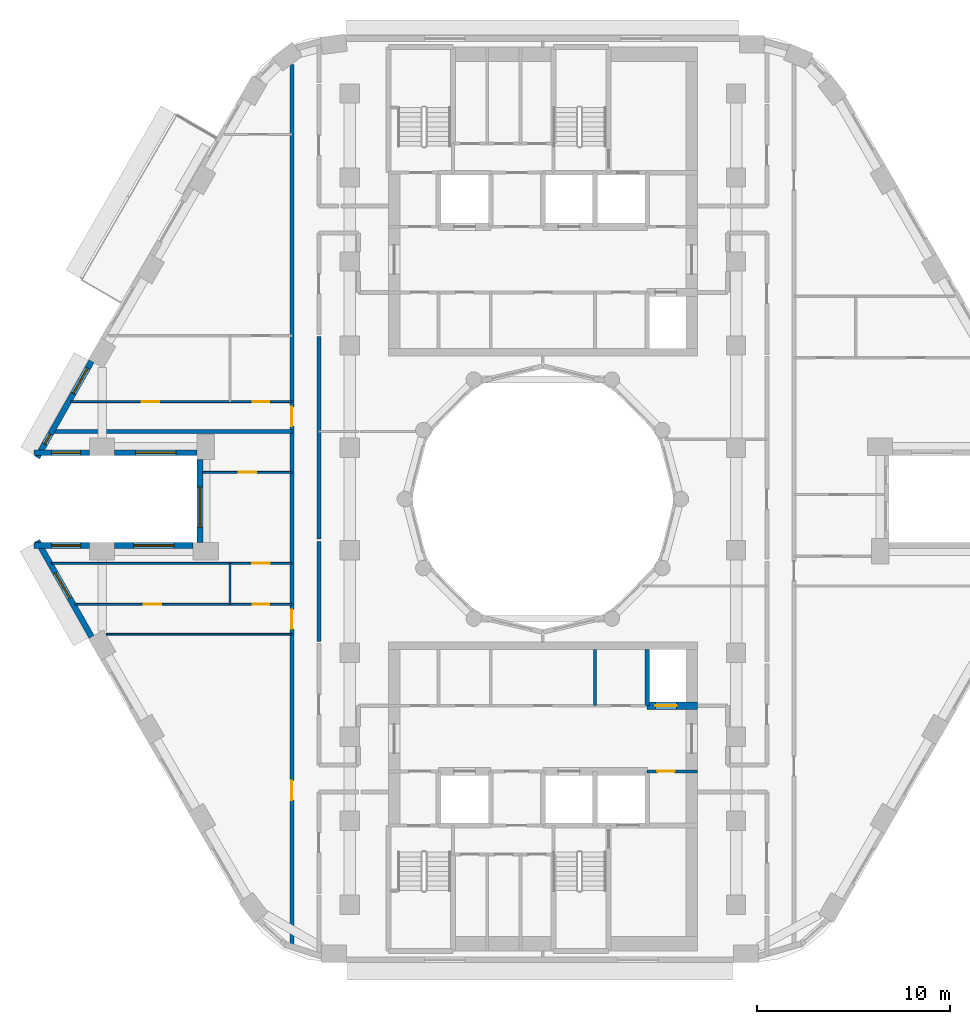
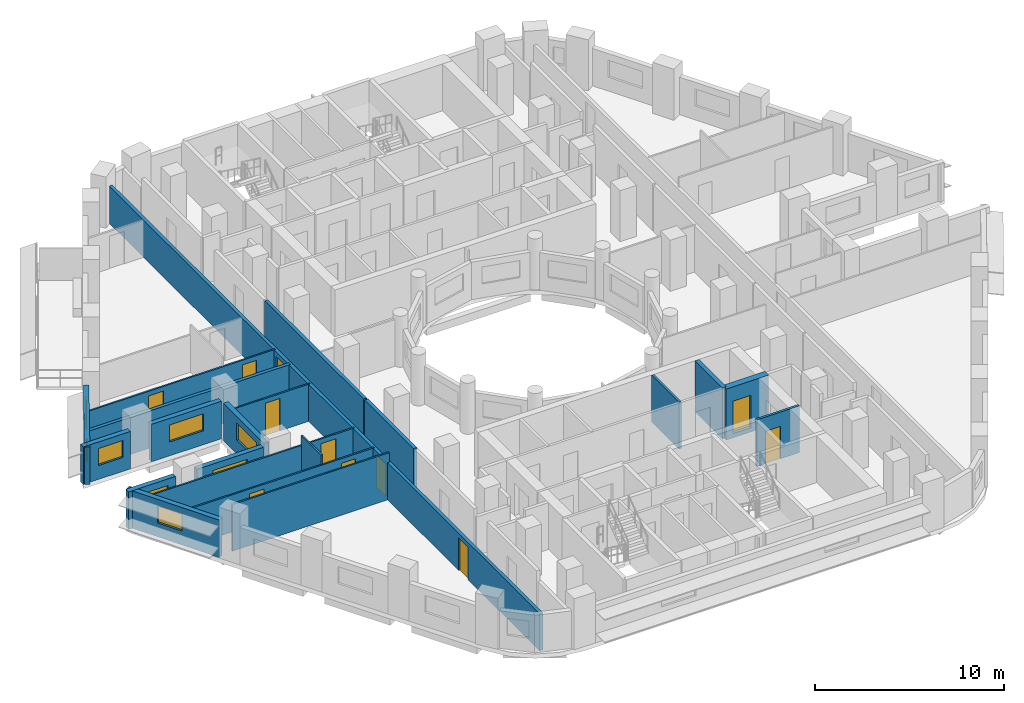
# One storey, part 4 of 13: 21 walls, 11 doors, 8 windows, 19 openings.
"""IFC4 building model written with IfcOpenShell, lengths in metres."""

from ifc_helpers import new_model, si_unit, direction, frame, frame_2d, origin, place, context, subcontext, project, spatial, rectangle, extrude, material, layer, layer_set, type_object, element, fill, save


model = new_model("IFC4")

# Units and contexts
model_context = context("Model", 3, precision=1e-05, world=origin(), true_north=direction((0.0, 1.0)))
body_context = subcontext(model_context, "Body", "Model", "MODEL_VIEW")
ifc_project = project(units=[si_unit("LENGTHUNIT", "METRE"), si_unit("AREAUNIT", "SQUARE_METRE"), si_unit("VOLUMEUNIT", "CUBIC_METRE"), si_unit("PLANEANGLEUNIT", "RADIAN"), si_unit("MASSUNIT", "GRAM", prefix="KILO")], contexts=[model_context])

# Site, building, storey
site_placement = place(None, origin())
site = spatial("IfcSite", under=ifc_project, at=site_placement, CompositionType="ELEMENT")
building_placement = place(site_placement, origin())
building = spatial("IfcBuilding", under=site, at=building_placement, Name="Nakaniwa Court", CompositionType="ELEMENT")
storey_placement = place(building_placement, frame((0.0, 0.0, 147.0)))
storey = spatial("IfcBuildingStorey", under=building, at=storey_placement, Name="L38", CompositionType="ELEMENT", Elevation=147.0)

# Walls
ifc_material_1 = material(Name="Acoustic double stud partition")
ifc_layer_1 = layer(ifc_material_1, 0.199951171875)
ifc_layer_set_1 = layer_set([ifc_layer_1], Name="Acoustic double stud partition")
wall_type_1 = type_object("IfcWallType", Name="Acoustic double stud partition 200", PredefinedType="PARTITIONING", material=ifc_layer_set_1)
wall_1_placement = place(storey_placement, frame((68.39990234375, 72.627197265625, 0.0), z_axis=(0.0, 0.0, 1.0), x_axis=(0.0, 1.0, 0.0)))
element("IfcWall", 1, at=wall_1_placement, inside=storey, type_object=wall_type_1, Name="Partition PW-103", PredefinedType="PARTITIONING", context=body_context, shape_type="SweptSolid", body=[
    extrude(rectangle(XDim=5.185546875, YDim=0.199951171875, at=frame_2d((2.5927734375, 0.0))), origin(), (0.0, 0.0, 1.0), 3.02490234375),
])
wall_2_placement = place(storey_placement, frame((68.39990234375, 77.92724609375, 0.0), z_axis=(0.0, 0.0, 1.0), x_axis=(0.0, 1.0, 0.0)))
element("IfcWall", 2, at=wall_2_placement, inside=storey, type_object=wall_type_1, Name="Partition PW-104", PredefinedType="PARTITIONING", context=body_context, shape_type="SweptSolid", body=[
    extrude(rectangle(XDim=10.485595703125, YDim=0.199951171875, at=frame_2d((5.24267578125, 0.0))), origin(), (0.0, 0.0, 1.0), 3.02490234375),
])

# Wall, openings, doors
wall_3_placement = place(storey_placement, frame((67.0, 56.833251953125, 0.0), z_axis=(0.0, 0.0, 1.0), x_axis=(0.0, 1.0, 0.0)))
wall_3 = element("IfcWall", 3, at=wall_3_placement, inside=storey, type_object=wall_type_1, Name="Partition PW-108", PredefinedType="PARTITIONING", context=body_context, shape_type="SweptSolid", body=[
    extrude(rectangle(XDim=45.660888671875, YDim=0.199951171875, at=frame_2d((22.83056640625, 0.0))), origin(), (0.0, 0.0, 1.0), 2.405029296875),
])
opening_1_placement = place(wall_3_placement, frame((7.583984375, 0.0, 0.0)))
opening_1 = element("IfcOpeningElement", 4, at=opening_1_placement, cuts=wall_3, Name="Opening D-02-06", PredefinedType="OPENING", context=body_context, shape_type="SweptSolid", body=[
    extrude(rectangle(XDim=1.0, YDim=2.10009765625, at=frame_2d((0.5, 1.050048828125))), frame((0.0, 0.10986328125, 0.0), z_axis=(0.0, -1.0, 0.0), x_axis=(1.0, 0.0, 0.0)), (0.0, 0.0, 1.0), 0.219970703125),
])
opening_2_placement = place(wall_3_placement, frame((16.44189453125, 0.0, 0.0)))
opening_2 = element("IfcOpeningElement", 5, at=opening_2_placement, cuts=wall_3, Name="Opening D-01-02", PredefinedType="OPENING", context=body_context, shape_type="SweptSolid", body=[
    extrude(rectangle(XDim=1.0, YDim=2.10009765625, at=frame_2d((0.5, 1.050048828125))), frame((0.0, 0.10986328125, 0.0), z_axis=(0.0, -1.0, 0.0), x_axis=(1.0, 0.0, 0.0)), (0.0, 0.0, 1.0), 0.219970703125),
])
opening_3_placement = place(wall_3_placement, frame((26.94189453125, 0.0, 0.0)))
opening_3 = element("IfcOpeningElement", 6, at=opening_3_placement, cuts=wall_3, Name="Opening D-01-03", PredefinedType="OPENING", context=body_context, shape_type="SweptSolid", body=[
    extrude(rectangle(XDim=1.0, YDim=2.10009765625, at=frame_2d((0.5, 1.050048828125))), frame((0.0, 0.10986328125, 0.0), z_axis=(0.0, -1.0, 0.0), x_axis=(1.0, 0.0, 0.0)), (0.0, 0.0, 1.0), 0.219970703125),
])
ifc_material_2 = material(Name="Solid core timber door set, black veneer", Category="wood")
door_type_1 = type_object("IfcDoorType", Name="Flat entrance door 1000", OperationType="NOTDEFINED", PredefinedType="DOOR", material=ifc_material_2)
door_1_placement = place(opening_2_placement, origin())
door_1 = element("IfcDoor", 7, at=door_1_placement, inside=storey, type_object=door_type_1, Name="Door D-01-02 L38-039", OperationType="SINGLE_SWING_RIGHT", OverallHeight=2.10009765625, OverallWidth=1.0, PredefinedType="DOOR", context=body_context, shape_type="SweptSolid", body=[
    extrude(rectangle(XDim=1.0, YDim=2.10009765625, at=frame_2d((0.5, 1.050048828125))), frame((0.0, 0.02490234375, 0.0), z_axis=(0.0, -1.0, 0.0), x_axis=(1.0, 0.0, 0.0)), (0.0, 0.0, 1.0), 0.050048828125),
])
fill(opening_2, door_1)
door_2_placement = place(opening_3_placement, origin())
door_2 = element("IfcDoor", 8, at=door_2_placement, inside=storey, type_object=door_type_1, Name="Door D-01-03 L38-045", OperationType="SINGLE_SWING_RIGHT", OverallHeight=2.10009765625, OverallWidth=1.0, PredefinedType="DOOR", context=body_context, shape_type="SweptSolid", body=[
    extrude(rectangle(XDim=1.0, YDim=2.10009765625, at=frame_2d((0.5, 1.050048828125))), frame((0.0, 0.02490234375, 0.0), z_axis=(0.0, -1.0, 0.0), x_axis=(1.0, 0.0, 0.0)), (0.0, 0.0, 1.0), 0.050048828125),
])
fill(opening_3, door_2)
door_type_2 = type_object("IfcDoorType", Name="Internal door 1000", OperationType="NOTDEFINED", PredefinedType="DOOR", material=ifc_material_2)
door_3_placement = place(opening_1_placement, origin())
door_3 = element("IfcDoor", 9, at=door_3_placement, inside=storey, type_object=door_type_2, Name="Door D-02-06 L38-037", OperationType="SINGLE_SWING_RIGHT", OverallHeight=2.10009765625, OverallWidth=1.0, PredefinedType="DOOR", context=body_context, shape_type="SweptSolid", body=[
    extrude(rectangle(XDim=1.0, YDim=2.10009765625, at=frame_2d((0.5, 1.050048828125))), frame((0.0, 0.02490234375, 0.0), z_axis=(0.0, -1.0, 0.0), x_axis=(1.0, 0.0, 0.0)), (0.0, 0.0, 1.0), 0.050048828125),
])
fill(opening_1, door_3)

# Wall
wall_4_placement = place(storey_placement, frame((54.654296875, 83.5, 0.0), z_axis=(0.0, 0.0, 1.0), x_axis=(1.0, 0.0, 0.0)))
element("IfcWall", 10, at=wall_4_placement, inside=storey, type_object=wall_type_1, Name="Partition PW-132", PredefinedType="PARTITIONING", context=body_context, shape_type="SweptSolid", body=[
    extrude(rectangle(XDim=12.3447265625, YDim=0.199951171875, at=frame_2d((6.17236328125, 0.0))), origin(), (0.0, 0.0, 1.0), 2.405029296875),
])

# Wall, openings, windows
ifc_material_3 = material(Name="Charcoal ceramic cladding")
ifc_layer_2 = layer(ifc_material_3, 0.02, Name="Ceramic cladding")
ifc_material_4 = material(Name="Ventilated air cavity")
ifc_layer_3 = layer(ifc_material_4, 0.04, ventilated=True, Name="Ventilated cavity")
ifc_material_5 = material(Name="Mineral wool insulation")
ifc_layer_4 = layer(ifc_material_5, 0.1, Name="Insulation")
ifc_material_6 = material(Name="Cement bonded sheathing board")
ifc_layer_5 = layer(ifc_material_6, 0.012, Name="Sheathing")
ifc_material_7 = material(Name="Cold-formed galvanised stud frame with mineral wool infill")
ifc_layer_6 = layer(ifc_material_7, 0.1, Name="Stud frame")
ifc_material_8 = material(Name="Fire-rated gypsum plasterboard lining")
ifc_layer_7 = layer(ifc_material_8, 0.028, Name="Lining")
ifc_layer_set_2 = layer_set([ifc_layer_2, ifc_layer_3, ifc_layer_4, ifc_layer_5, ifc_layer_6, ifc_layer_7], Name="Charcoal ceramic faced external wall system")
wall_type_2 = type_object("IfcWallType", Name="Black ceramic faced external wall 300", PredefinedType="SOLIDWALL", material=ifc_layer_set_2)
wall_5_placement = place(storey_placement, frame((56.63427734375, 87.13720703125, 0.0), z_axis=(0.0, 0.0, 1.0), x_axis=(-0.492498306264, -0.87031340236, 0.0)))
wall_5 = element("IfcWall", 11, at=wall_5_placement, inside=storey, type_object=wall_type_2, Name="L38 external wall 14", PredefinedType="SOLIDWALL", context=body_context, shape_type="SweptSolid", body=[
    extrude(rectangle(XDim=5.7265625, YDim=0.300048828125, at=frame_2d((2.86328125, 0.0))), origin(), (0.0, 0.0, 1.0), 2.425048828125),
])
opening_4_placement = place(wall_5_placement, frame((0.413818359375, 0.0, 0.89990234375)))
opening_4 = element("IfcOpeningElement", 12, at=opening_4_placement, cuts=wall_5, Name="Opening W5.15", PredefinedType="OPENING", context=body_context, shape_type="SweptSolid", body=[
    extrude(rectangle(XDim=1.5, YDim=1.10009765625, at=frame_2d((0.75, 0.550048828125))), frame((0.0, 0.159912109375, 0.0), z_axis=(0.0, -1.0, 0.0), x_axis=(1.0, 0.0, 0.0)), (0.0, 0.0, 1.0), 0.320068359375),
])
opening_5_placement = place(wall_5_placement, frame((4.32861328125, 0.0, 0.89990234375)))
opening_5 = element("IfcOpeningElement", 13, at=opening_5_placement, cuts=wall_5, Name="Opening W8.16", PredefinedType="OPENING", context=body_context, shape_type="SweptSolid", body=[
    extrude(rectangle(XDim=0.60009765625, YDim=1.10009765625, at=frame_2d((0.300048828125, 0.550048828125))), frame((0.0, 0.159912109375, 0.0), z_axis=(0.0, -1.0, 0.0), x_axis=(1.0, 0.0, 0.0)), (0.0, 0.0, 1.0), 0.320068359375),
])
ifc_material_9 = material(Name="Black anodised aluminium frame with dark low-E laminated double glazing", Category="aluminium")
window_type_1 = type_object("IfcWindowType", Name="Dark glass window 1500x1100 sill 900", PartitioningType="SINGLE_PANEL", PredefinedType="WINDOW", material=ifc_material_9)
window_1_placement = place(opening_4_placement, origin())
window_1 = element("IfcWindow", 14, at=window_1_placement, inside=storey, type_object=window_type_1, Name="L38 habitable room window 14-0", OverallHeight=1.10009765625, OverallWidth=1.5, PartitioningType="SINGLE_PANEL", PredefinedType="WINDOW", context=body_context, shape_type="SweptSolid", body=[
    extrude(rectangle(XDim=1.5, YDim=1.10009765625, at=frame_2d((0.75, 0.550048828125))), frame((0.0, 0.030029296875, 0.0), z_axis=(0.0, -1.0, 0.0), x_axis=(1.0, 0.0, 0.0)), (0.0, 0.0, 1.0), 0.06005859375),
])
fill(opening_4, window_1)
window_type_2 = type_object("IfcWindowType", Name="Dark glass window 600x1100 sill 900", PartitioningType="SINGLE_PANEL", PredefinedType="WINDOW", material=ifc_material_9)
window_2_placement = place(opening_5_placement, origin())
window_2 = element("IfcWindow", 15, at=window_2_placement, inside=storey, type_object=window_type_2, Name="L38 habitable room window 14-2", OverallHeight=1.10009765625, OverallWidth=0.60009765625, PartitioningType="SINGLE_PANEL", PredefinedType="WINDOW", context=body_context, shape_type="SweptSolid", body=[
    extrude(rectangle(XDim=0.60009765625, YDim=1.10009765625, at=frame_2d((0.300048828125, 0.550048828125))), frame((0.0, 0.030029296875, 0.0), z_axis=(0.0, -1.0, 0.0), x_axis=(1.0, 0.0, 0.0)), (0.0, 0.0, 1.0), 0.06005859375),
])
fill(opening_5, window_2)

# Wall, opening, window
wall_6_placement = place(storey_placement, frame((53.643310546875, 82.39990234375, 0.0), z_axis=(0.0, 0.0, 1.0), x_axis=(1.0, 0.0, 0.0)))
wall_6 = element("IfcWall", 16, at=wall_6_placement, inside=storey, type_object=wall_type_2, Name="L38 external wall 15", PredefinedType="SOLIDWALL", context=body_context, shape_type="SweptSolid", body=[
    extrude(rectangle(XDim=2.8876953125, YDim=0.300048828125, at=frame_2d((1.44384765625, 0.0))), origin(), (0.0, 0.0, 1.0), 2.425048828125),
])
opening_6_placement = place(wall_6_placement, frame((0.9189453125, 0.0, 0.89990234375)))
opening_6 = element("IfcOpeningElement", 17, at=opening_6_placement, cuts=wall_6, Name="Opening W5.17", PredefinedType="OPENING", context=body_context, shape_type="SweptSolid", body=[
    extrude(rectangle(XDim=1.5, YDim=1.10009765625, at=frame_2d((0.75, 0.550048828125))), frame((0.0, 0.159912109375, 0.0), z_axis=(0.0, -1.0, 0.0), x_axis=(1.0, 0.0, 0.0)), (0.0, 0.0, 1.0), 0.320068359375),
])
window_3_placement = place(opening_6_placement, origin())
window_3 = element("IfcWindow", 18, at=window_3_placement, inside=storey, type_object=window_type_1, Name="L38 habitable room window 15-0", OverallHeight=1.10009765625, OverallWidth=1.5, PartitioningType="SINGLE_PANEL", PredefinedType="WINDOW", context=body_context, shape_type="SweptSolid", body=[
    extrude(rectangle(XDim=1.5, YDim=1.10009765625, at=frame_2d((0.75, 0.550048828125))), frame((0.0, 0.030029296875, 0.0), z_axis=(0.0, -1.0, 0.0), x_axis=(1.0, 0.0, 0.0)), (0.0, 0.0, 1.0), 0.06005859375),
])
fill(opening_6, window_3)

wall_7_placement = place(storey_placement, frame((57.822998046875, 82.39990234375, 0.0), z_axis=(0.0, 0.0, 1.0), x_axis=(1.0, 0.0, 0.0)))
wall_7 = element("IfcWall", 19, at=wall_7_placement, inside=storey, type_object=wall_type_2, Name="L38 external wall 16", PredefinedType="SOLIDWALL", context=body_context, shape_type="SweptSolid", body=[
    extrude(rectangle(XDim=4.272705078125, YDim=0.300048828125, at=frame_2d((2.13623046875, 0.0))), origin(), (0.0, 0.0, 1.0), 2.425048828125),
])
opening_7_placement = place(wall_7_placement, frame((1.086181640625, 0.0, 0.89990234375)))
opening_7 = element("IfcOpeningElement", 20, at=opening_7_placement, cuts=wall_7, Name="Opening W7.18", PredefinedType="OPENING", context=body_context, shape_type="SweptSolid", body=[
    extrude(rectangle(XDim=2.10009765625, YDim=1.10009765625, at=frame_2d((1.050048828125, 0.550048828125))), frame((0.0, 0.159912109375, 0.0), z_axis=(0.0, -1.0, 0.0), x_axis=(1.0, 0.0, 0.0)), (0.0, 0.0, 1.0), 0.320068359375),
])
window_type_3 = type_object("IfcWindowType", Name="Dark glass window 2100x1100 sill 900", PartitioningType="SINGLE_PANEL", PredefinedType="WINDOW", material=ifc_material_9)
window_4_placement = place(opening_7_placement, origin())
window_4 = element("IfcWindow", 21, at=window_4_placement, inside=storey, type_object=window_type_3, Name="L38 habitable room window 16-0", OverallHeight=1.10009765625, OverallWidth=2.10009765625, PartitioningType="SINGLE_PANEL", PredefinedType="WINDOW", context=body_context, shape_type="SweptSolid", body=[
    extrude(rectangle(XDim=2.10009765625, YDim=1.10009765625, at=frame_2d((1.050048828125, 0.550048828125))), frame((0.0, 0.030029296875, 0.0), z_axis=(0.0, -1.0, 0.0), x_axis=(1.0, 0.0, 0.0)), (0.0, 0.0, 1.0), 0.06005859375),
])
fill(opening_7, window_4)

wall_8_placement = place(storey_placement, frame((62.24169921875, 82.053955078125, 0.0), z_axis=(0.0, 0.0, 1.0), x_axis=(0.0, -1.0, 0.0)))
wall_8 = element("IfcWall", 22, at=wall_8_placement, inside=storey, type_object=wall_type_2, Name="L38 external wall 17", PredefinedType="SOLIDWALL", context=body_context, shape_type="SweptSolid", body=[
    extrude(rectangle(XDim=4.307861328125, YDim=0.300048828125, at=frame_2d((2.15380859375, 0.0))), origin(), (0.0, 0.0, 1.0), 2.425048828125),
])
opening_8_placement = place(wall_8_placement, frame((1.4287109375, 0.0, 0.89990234375)))
opening_8 = element("IfcOpeningElement", 23, at=opening_8_placement, cuts=wall_8, Name="Opening W7.19", PredefinedType="OPENING", context=body_context, shape_type="SweptSolid", body=[
    extrude(rectangle(XDim=2.10009765625, YDim=1.10009765625, at=frame_2d((1.050048828125, 0.550048828125))), frame((0.0, 0.159912109375, 0.0), z_axis=(0.0, -1.0, 0.0), x_axis=(1.0, 0.0, 0.0)), (0.0, 0.0, 1.0), 0.320068359375),
])
window_5_placement = place(opening_8_placement, origin())
window_5 = element("IfcWindow", 24, at=window_5_placement, inside=storey, type_object=window_type_3, Name="L38 living window 17-1", OverallHeight=1.10009765625, OverallWidth=2.10009765625, PartitioningType="SINGLE_PANEL", PredefinedType="WINDOW", context=body_context, shape_type="SweptSolid", body=[
    extrude(rectangle(XDim=2.10009765625, YDim=1.10009765625, at=frame_2d((1.050048828125, 0.550048828125))), frame((0.0, 0.030029296875, 0.0), z_axis=(0.0, -1.0, 0.0), x_axis=(1.0, 0.0, 0.0)), (0.0, 0.0, 1.0), 0.06005859375),
])
fill(opening_8, window_5)

wall_9_placement = place(storey_placement, frame((61.8955078125, 77.60009765625, 0.0), z_axis=(0.0, 0.0, 1.0), x_axis=(-1.0, 0.0, 0.0)))
wall_9 = element("IfcWall", 25, at=wall_9_placement, inside=storey, type_object=wall_type_2, Name="L38 external wall 18", PredefinedType="SOLIDWALL", context=body_context, shape_type="SweptSolid", body=[
    extrude(rectangle(XDim=4.072509765625, YDim=0.300048828125, at=frame_2d((2.0361328125, 0.0))), origin(), (0.0, 0.0, 1.0), 2.425048828125),
])
opening_9_placement = place(wall_9_placement, frame((0.986083984375, 0.0, 0.89990234375)))
opening_9 = element("IfcOpeningElement", 26, at=opening_9_placement, cuts=wall_9, Name="Opening W7.20", PredefinedType="OPENING", context=body_context, shape_type="SweptSolid", body=[
    extrude(rectangle(XDim=2.10009765625, YDim=1.10009765625, at=frame_2d((1.050048828125, 0.550048828125))), frame((0.0, 0.159912109375, 0.0), z_axis=(0.0, -1.0, 0.0), x_axis=(1.0, 0.0, 0.0)), (0.0, 0.0, 1.0), 0.320068359375),
])
window_6_placement = place(opening_9_placement, origin())
window_6 = element("IfcWindow", 27, at=window_6_placement, inside=storey, type_object=window_type_3, Name="L38 living window 18-0", OverallHeight=1.10009765625, OverallWidth=2.10009765625, PartitioningType="SINGLE_PANEL", PredefinedType="WINDOW", context=body_context, shape_type="SweptSolid", body=[
    extrude(rectangle(XDim=2.10009765625, YDim=1.10009765625, at=frame_2d((1.050048828125, 0.550048828125))), frame((0.0, 0.030029296875, 0.0), z_axis=(0.0, -1.0, 0.0), x_axis=(1.0, 0.0, 0.0)), (0.0, 0.0, 1.0), 0.06005859375),
])
fill(opening_9, window_6)

wall_10_placement = place(storey_placement, frame((56.531005859375, 77.60009765625, 0.0), z_axis=(0.0, 0.0, 1.0), x_axis=(-1.0, 0.0, 0.0)))
wall_10 = element("IfcWall", 28, at=wall_10_placement, inside=storey, type_object=wall_type_2, Name="L38 external wall 19", PredefinedType="SOLIDWALL", context=body_context, shape_type="SweptSolid", body=[
    extrude(rectangle(XDim=2.8876953125, YDim=0.300048828125, at=frame_2d((1.44384765625, 0.0))), origin(), (0.0, 0.0, 1.0), 2.425048828125),
])
opening_10_placement = place(wall_10_placement, frame((0.468994140625, 0.0, 0.89990234375)))
opening_10 = element("IfcOpeningElement", 29, at=opening_10_placement, cuts=wall_10, Name="Opening W5.21", PredefinedType="OPENING", context=body_context, shape_type="SweptSolid", body=[
    extrude(rectangle(XDim=1.5, YDim=1.10009765625, at=frame_2d((0.75, 0.550048828125))), frame((0.0, 0.159912109375, 0.0), z_axis=(0.0, -1.0, 0.0), x_axis=(1.0, 0.0, 0.0)), (0.0, 0.0, 1.0), 0.320068359375),
])
window_7_placement = place(opening_10_placement, origin())
window_7 = element("IfcWindow", 30, at=window_7_placement, inside=storey, type_object=window_type_1, Name="L38 living window 19-0", OverallHeight=1.10009765625, OverallWidth=1.5, PartitioningType="SINGLE_PANEL", PredefinedType="WINDOW", context=body_context, shape_type="SweptSolid", body=[
    extrude(rectangle(XDim=1.5, YDim=1.10009765625, at=frame_2d((0.75, 0.550048828125))), frame((0.0, 0.030029296875, 0.0), z_axis=(0.0, -1.0, 0.0), x_axis=(1.0, 0.0, 0.0)), (0.0, 0.0, 1.0), 0.06005859375),
])
fill(opening_10, window_7)

wall_11_placement = place(storey_placement, frame((53.81396484375, 77.8466796875, 0.0), z_axis=(0.0, 0.0, 1.0), x_axis=(0.492498306264, -0.87031340236, 0.0)))
wall_11 = element("IfcWall", 31, at=wall_11_placement, inside=storey, type_object=wall_type_2, Name="L38 external wall 20", PredefinedType="SOLIDWALL", context=body_context, shape_type="SweptSolid", body=[
    extrude(rectangle(XDim=5.7265625, YDim=0.300048828125, at=frame_2d((2.86328125, 0.0))), origin(), (0.0, 0.0, 1.0), 2.425048828125),
])
opening_11_placement = place(wall_11_placement, frame((1.916259765625, 0.0, 0.89990234375)))
opening_11 = element("IfcOpeningElement", 32, at=opening_11_placement, cuts=wall_11, Name="Opening W5.22", PredefinedType="OPENING", context=body_context, shape_type="SweptSolid", body=[
    extrude(rectangle(XDim=1.5, YDim=1.10009765625, at=frame_2d((0.75, 0.550048828125))), frame((0.0, 0.159912109375, 0.0), z_axis=(0.0, -1.0, 0.0), x_axis=(1.0, 0.0, 0.0)), (0.0, 0.0, 1.0), 0.320068359375),
])
window_8_placement = place(opening_11_placement, origin())
window_8 = element("IfcWindow", 33, at=window_8_placement, inside=storey, type_object=window_type_1, Name="L38 habitable room window 20-1", OverallHeight=1.10009765625, OverallWidth=1.5, PartitioningType="SINGLE_PANEL", PredefinedType="WINDOW", context=body_context, shape_type="SweptSolid", body=[
    extrude(rectangle(XDim=1.5, YDim=1.10009765625, at=frame_2d((0.75, 0.550048828125))), frame((0.0, 0.030029296875, 0.0), z_axis=(0.0, -1.0, 0.0), x_axis=(1.0, 0.0, 0.0)), (0.0, 0.0, 1.0), 0.06005859375),
])
fill(opening_11, window_8)

# Wall
ifc_material_10 = material(Name="Blockwork partition", Category="masonry")
ifc_layer_8 = layer(ifc_material_10, 0.14990234375)
ifc_layer_set_3 = layer_set([ifc_layer_8], Name="Blockwork partition")
wall_type_3 = type_object("IfcWallType", Name="Blockwork partition 150", PredefinedType="PARTITIONING", material=ifc_layer_set_3)
wall_12_placement = place(storey_placement, frame((82.699951171875, 69.300048828125, 0.0), z_axis=(0.0, 0.0, 1.0), x_axis=(0.0, 1.0, 0.0)))
element("IfcWall", 34, at=wall_12_placement, inside=storey, type_object=wall_type_3, Name="Partition PW-044", PredefinedType="PARTITIONING", context=body_context, shape_type="SweptSolid", body=[
    extrude(rectangle(XDim=2.89990234375, YDim=0.14990234375, at=frame_2d((1.449951171875, 0.0))), origin(), (0.0, 0.0, 1.0), 3.02490234375),
])

# Wall, opening, door
wall_13_placement = place(storey_placement, frame((88.0, 65.89990234375, 0.0), z_axis=(0.0, 0.0, 1.0), x_axis=(-1.0, 0.0, 0.0)))
wall_13 = element("IfcWall", 35, at=wall_13_placement, inside=storey, type_object=wall_type_3, Name="Partition PW-047", PredefinedType="PARTITIONING", context=body_context, shape_type="SweptSolid", body=[
    extrude(rectangle(XDim=2.60302734375, YDim=0.14990234375, at=frame_2d((1.301513671875, 0.0))), origin(), (0.0, 0.0, 1.0), 3.02490234375),
])
opening_12_placement = place(wall_13_placement, frame((1.175048828125, 0.0, 0.0)))
opening_12 = element("IfcOpeningElement", 36, at=opening_12_placement, cuts=wall_13, Name="Opening D-05-13", PredefinedType="OPENING", context=body_context, shape_type="SweptSolid", body=[
    extrude(rectangle(XDim=0.89990234375, YDim=2.10009765625, at=frame_2d((0.449951171875, 1.050048828125))), frame((0.0, 0.0849609375, 0.0), z_axis=(0.0, -1.0, 0.0), x_axis=(1.0, 0.0, 0.0)), (0.0, 0.0, 1.0), 0.169921875),
])
ifc_material_11 = material(Name="Fire rated steel door set", Category="steel")
door_type_3 = type_object("IfcDoorType", Name="Service room door 900", OperationType="NOTDEFINED", PredefinedType="DOOR", material=ifc_material_11)
door_4_placement = place(opening_12_placement, origin())
door_4 = element("IfcDoor", 37, at=door_4_placement, inside=storey, type_object=door_type_3, Name="Door D-05-13 L38-020", OperationType="SINGLE_SWING_LEFT", OverallHeight=2.10009765625, OverallWidth=0.89990234375, PredefinedType="DOOR", context=body_context, shape_type="SweptSolid", body=[
    extrude(rectangle(XDim=0.89990234375, YDim=2.10009765625, at=frame_2d((0.449951171875, 1.050048828125))), frame((0.0, 0.02490234375, 0.0), z_axis=(0.0, -1.0, 0.0), x_axis=(1.0, 0.0, 0.0)), (0.0, 0.0, 1.0), 0.050048828125),
])
fill(opening_12, door_4)

ifc_material_12 = material(Name="Concrete C80/100", Category="concrete")
ifc_layer_9 = layer(ifc_material_12, 0.39990234375)
ifc_layer_set_4 = layer_set([ifc_layer_9], Name="Concrete C80/100")
wall_type_4 = type_object("IfcWallType", Name="Concrete core spine wall 400 C80", PredefinedType="SHEAR", material=ifc_layer_set_4)
wall_14_placement = place(storey_placement, frame((85.39990234375, 69.300048828125, -0.27490234375), z_axis=(0.0, 0.0, 1.0), x_axis=(1.0, 0.0, 0.0)))
wall_14 = element("IfcWall", 38, at=wall_14_placement, inside=storey, type_object=wall_type_4, Name="Core wall SW-41", PredefinedType="SHEAR", context=body_context, shape_type="SweptSolid", body=[
    extrude(rectangle(XDim=2.60009765625, YDim=0.39990234375, at=frame_2d((1.300048828125, 0.0))), origin(), (0.0, 0.0, 1.0), 3.2998046875),
])
opening_13_placement = place(wall_14_placement, frame((0.425048828125, 0.0, 0.27490234375)))
opening_13 = element("IfcOpeningElement", 39, at=opening_13_placement, cuts=wall_14, Name="Opening LD05", PredefinedType="OPENING", context=body_context, shape_type="SweptSolid", body=[
    extrude(rectangle(XDim=1.10009765625, YDim=2.10009765625, at=frame_2d((0.550048828125, 1.050048828125))), frame((0.0, 0.2099609375, 0.0), z_axis=(0.0, -1.0, 0.0), x_axis=(1.0, 0.0, 0.0)), (0.0, 0.0, 1.0), 0.419921875),
])
ifc_material_13 = material(Name="Stainless steel sliding lift landing door", Category="steel")
door_type_4 = type_object("IfcDoorType", Name="Lift landing door 1100", OperationType="NOTDEFINED", PredefinedType="DOOR", material=ifc_material_13)
door_5_placement = place(opening_13_placement, origin())
door_5 = element("IfcDoor", 40, at=door_5_placement, inside=storey, type_object=door_type_4, Name="Lift landing door LD05 L38-005", OperationType="SLIDING_TO_LEFT", OverallHeight=2.10009765625, OverallWidth=1.10009765625, PredefinedType="DOOR", context=body_context, shape_type="SweptSolid", body=[
    extrude(rectangle(XDim=1.10009765625, YDim=2.10009765625, at=frame_2d((0.550048828125, 1.050048828125))), frame((0.0, 0.02490234375, 0.0), z_axis=(0.0, -1.0, 0.0), x_axis=(1.0, 0.0, 0.0)), (0.0, 0.0, 1.0), 0.050048828125),
])
fill(opening_13, door_5)

# Walls
ifc_layer_10 = layer(ifc_material_12, 0.25)
ifc_layer_set_5 = layer_set([ifc_layer_10], Name="Concrete C80/100")
wall_type_5 = type_object("IfcWallType", Name="Concrete shaft wall 250 C80", PredefinedType="SHEAR", material=ifc_layer_set_5)
wall_15_placement = place(storey_placement, frame((85.39990234375, 69.300048828125, -0.27490234375), z_axis=(0.0, 0.0, 1.0), x_axis=(0.0, 1.0, 0.0)))
element("IfcWall", 41, at=wall_15_placement, inside=storey, type_object=wall_type_5, Name="Core wall SW-40", PredefinedType="SHEAR", context=body_context, shape_type="SweptSolid", body=[
    extrude(rectangle(XDim=2.89990234375, YDim=0.25, at=frame_2d((1.449951171875, 0.0))), origin(), (0.0, 0.0, 1.0), 3.2998046875),
])
ifc_material_14 = material(Name="Single stud plasterboard partition")
ifc_layer_11 = layer(ifc_material_14, 0.10009765625)
ifc_layer_set_6 = layer_set([ifc_layer_11], Name="Single stud plasterboard partition")
wall_type_6 = type_object("IfcWallType", Name="Single stud plasterboard partition 100", PredefinedType="PARTITIONING", material=ifc_layer_set_6)
wall_16_placement = place(storey_placement, frame((57.390869140625, 73.0, 0.0), z_axis=(0.0, 0.0, 1.0), x_axis=(1.0, 0.0, 0.0)))
element("IfcWall", 42, at=wall_16_placement, inside=storey, type_object=wall_type_6, Name="Partition PW-124", PredefinedType="PARTITIONING", context=body_context, shape_type="SweptSolid", body=[
    extrude(rectangle(XDim=9.60791015625, YDim=0.10009765625, at=frame_2d((4.803955078125, 0.0))), origin(), (0.0, 0.0, 1.0), 3.02490234375),
])

# Wall, openings, doors
wall_17_placement = place(storey_placement, frame((55.7802734375, 74.550048828125, 0.0), z_axis=(0.0, 0.0, 1.0), x_axis=(1.0, 0.0, 0.0)))
wall_17 = element("IfcWall", 43, at=wall_17_placement, inside=storey, type_object=wall_type_6, Name="Partition PW-127", PredefinedType="PARTITIONING", context=body_context, shape_type="SweptSolid", body=[
    extrude(rectangle(XDim=11.21875, YDim=0.10009765625, at=frame_2d((5.609375, 0.0))), origin(), (0.0, 0.0, 1.0), 2.405029296875),
])
opening_14_placement = place(wall_17_placement, frame((9.194091796875, 0.0, 0.0)))
opening_14 = element("IfcOpeningElement", 44, at=opening_14_placement, cuts=wall_17, Name="Opening D-03-02", PredefinedType="OPENING", context=body_context, shape_type="SweptSolid", body=[
    extrude(rectangle(XDim=0.85009765625, YDim=2.10009765625, at=frame_2d((0.425048828125, 1.050048828125))), frame((0.0, 0.06005859375, 0.0), z_axis=(0.0, -1.0, 0.0), x_axis=(1.0, 0.0, 0.0)), (0.0, 0.0, 1.0), 0.1201171875),
])
opening_15_placement = place(wall_17_placement, frame((3.55908203125, 0.0, 0.0)))
opening_15 = element("IfcOpeningElement", 45, at=opening_15_placement, cuts=wall_17, Name="Opening D-33-04", PredefinedType="OPENING", context=body_context, shape_type="SweptSolid", body=[
    extrude(rectangle(XDim=0.89990234375, YDim=2.10009765625, at=frame_2d((0.449951171875, 1.050048828125))), frame((0.0, 0.06005859375, 0.0), z_axis=(0.0, -1.0, 0.0), x_axis=(1.0, 0.0, 0.0)), (0.0, 0.0, 1.0), 0.1201171875),
])
ifc_material_15 = material(Name="Moisture sealed timber door set", Category="wood")
door_type_5 = type_object("IfcDoorType", Name="Bathroom door 850", OperationType="NOTDEFINED", PredefinedType="DOOR", material=ifc_material_15)
door_6_placement = place(opening_14_placement, origin())
door_6 = element("IfcDoor", 46, at=door_6_placement, inside=storey, type_object=door_type_5, Name="Door D-03-02 L38-040", OperationType="SINGLE_SWING_LEFT", OverallHeight=2.10009765625, OverallWidth=0.85009765625, PredefinedType="DOOR", context=body_context, shape_type="SweptSolid", body=[
    extrude(rectangle(XDim=0.85009765625, YDim=2.10009765625, at=frame_2d((0.425048828125, 1.050048828125))), frame((0.0, 0.02490234375, 0.0), z_axis=(0.0, -1.0, 0.0), x_axis=(1.0, 0.0, 0.0)), (0.0, 0.0, 1.0), 0.050048828125),
])
fill(opening_14, door_6)
door_type_6 = type_object("IfcDoorType", Name="Internal door 900", OperationType="NOTDEFINED", PredefinedType="DOOR", material=ifc_material_2)
door_7_placement = place(opening_15_placement, origin())
door_7 = element("IfcDoor", 47, at=door_7_placement, inside=storey, type_object=door_type_6, Name="Door D-33-04 L38-041", OperationType="SINGLE_SWING_RIGHT", OverallHeight=2.10009765625, OverallWidth=0.89990234375, PredefinedType="DOOR", context=body_context, shape_type="SweptSolid", body=[
    extrude(rectangle(XDim=0.89990234375, YDim=2.10009765625, at=frame_2d((0.449951171875, 1.050048828125))), frame((0.0, 0.02490234375, 0.0), z_axis=(0.0, -1.0, 0.0), x_axis=(1.0, 0.0, 0.0)), (0.0, 0.0, 1.0), 0.050048828125),
])
fill(opening_15, door_7)

# Wall
wall_18_placement = place(storey_placement, frame((63.799072265625, 74.550048828125, 0.0), z_axis=(0.0, 0.0, 1.0), x_axis=(0.0, 1.0, 0.0)))
element("IfcWall", 48, at=wall_18_placement, inside=storey, type_object=wall_type_6, Name="Partition PW-128", PredefinedType="PARTITIONING", context=body_context, shape_type="SweptSolid", body=[
    extrude(rectangle(XDim=2.11962890625, YDim=0.10009765625, at=frame_2d((1.059814453125, 0.0))), origin(), (0.0, 0.0, 1.0), 3.02490234375),
])

# Wall, opening, door
wall_19_placement = place(storey_placement, frame((54.556396484375, 76.669921875, 0.0), z_axis=(0.0, 0.0, 1.0), x_axis=(1.0, 0.0, 0.0)))
wall_19 = element("IfcWall", 49, at=wall_19_placement, inside=storey, type_object=wall_type_6, Name="Partition PW-130", PredefinedType="PARTITIONING", context=body_context, shape_type="SweptSolid", body=[
    extrude(rectangle(XDim=12.442626953125, YDim=0.10009765625, at=frame_2d((6.22119140625, 0.0))), origin(), (0.0, 0.0, 1.0), 2.405029296875),
])
opening_16_placement = place(wall_19_placement, frame((10.39111328125, 0.0, 0.0)))
opening_16 = element("IfcOpeningElement", 50, at=opening_16_placement, cuts=wall_19, Name="Opening D-33-05", PredefinedType="OPENING", context=body_context, shape_type="SweptSolid", body=[
    extrude(rectangle(XDim=0.89990234375, YDim=2.10009765625, at=frame_2d((0.449951171875, 1.050048828125))), frame((0.0, 0.06005859375, 0.0), z_axis=(0.0, -1.0, 0.0), x_axis=(1.0, 0.0, 0.0)), (0.0, 0.0, 1.0), 0.1201171875),
])
door_8_placement = place(opening_16_placement, origin())
door_8 = element("IfcDoor", 51, at=door_8_placement, inside=storey, type_object=door_type_6, Name="Door D-33-05 L38-042", OperationType="SINGLE_SWING_LEFT", OverallHeight=2.10009765625, OverallWidth=0.89990234375, PredefinedType="DOOR", context=body_context, shape_type="SweptSolid", body=[
    extrude(rectangle(XDim=0.89990234375, YDim=2.10009765625, at=frame_2d((0.449951171875, 1.050048828125))), frame((0.0, 0.02490234375, 0.0), z_axis=(0.0, -1.0, 0.0), x_axis=(1.0, 0.0, 0.0)), (0.0, 0.0, 1.0), 0.050048828125),
])
fill(opening_16, door_8)

wall_20_placement = place(storey_placement, frame((62.3916015625, 81.3798828125, 0.0), z_axis=(0.0, 0.0, 1.0), x_axis=(1.0, 0.0, 0.0)))
wall_20 = element("IfcWall", 52, at=wall_20_placement, inside=storey, type_object=wall_type_6, Name="Partition PW-131", PredefinedType="PARTITIONING", context=body_context, shape_type="SweptSolid", body=[
    extrude(rectangle(XDim=4.607421875, YDim=0.10009765625, at=frame_2d((2.3037109375, 0.0))), origin(), (0.0, 0.0, 1.0), 2.405029296875),
])
opening_17_placement = place(wall_20_placement, frame((1.85400390625, 0.0, 0.0)))
opening_17 = element("IfcOpeningElement", 53, at=opening_17_placement, cuts=wall_20, Name="Opening D-33-06", PredefinedType="OPENING", context=body_context, shape_type="SweptSolid", body=[
    extrude(rectangle(XDim=0.89990234375, YDim=2.10009765625, at=frame_2d((0.449951171875, 1.050048828125))), frame((0.0, 0.06005859375, 0.0), z_axis=(0.0, -1.0, 0.0), x_axis=(1.0, 0.0, 0.0)), (0.0, 0.0, 1.0), 0.1201171875),
])
door_9_placement = place(opening_17_placement, origin())
door_9 = element("IfcDoor", 54, at=door_9_placement, inside=storey, type_object=door_type_6, Name="Door D-33-06 L38-043", OperationType="SINGLE_SWING_RIGHT", OverallHeight=2.10009765625, OverallWidth=0.89990234375, PredefinedType="DOOR", context=body_context, shape_type="SweptSolid", body=[
    extrude(rectangle(XDim=0.89990234375, YDim=2.10009765625, at=frame_2d((0.449951171875, 1.050048828125))), frame((0.0, 0.02490234375, 0.0), z_axis=(0.0, -1.0, 0.0), x_axis=(1.0, 0.0, 0.0)), (0.0, 0.0, 1.0), 0.050048828125),
])
fill(opening_17, door_9)

# Wall, openings, doors
wall_21_placement = place(storey_placement, frame((55.54931640625, 85.050048828125, 0.0), z_axis=(0.0, 0.0, 1.0), x_axis=(1.0, 0.0, 0.0)))
wall_21 = element("IfcWall", 55, at=wall_21_placement, inside=storey, type_object=wall_type_6, Name="Partition PW-133", PredefinedType="PARTITIONING", context=body_context, shape_type="SweptSolid", body=[
    extrude(rectangle(XDim=11.44970703125, YDim=0.10009765625, at=frame_2d((5.724853515625, 0.0))), origin(), (0.0, 0.0, 1.0), 2.405029296875),
])
opening_18_placement = place(wall_21_placement, frame((9.425048828125, 0.0, 0.0)))
opening_18 = element("IfcOpeningElement", 56, at=opening_18_placement, cuts=wall_21, Name="Opening D-03-03", PredefinedType="OPENING", context=body_context, shape_type="SweptSolid", body=[
    extrude(rectangle(XDim=0.85009765625, YDim=2.10009765625, at=frame_2d((0.425048828125, 1.050048828125))), frame((0.0, 0.06005859375, 0.0), z_axis=(0.0, -1.0, 0.0), x_axis=(1.0, 0.0, 0.0)), (0.0, 0.0, 1.0), 0.1201171875),
])
opening_19_placement = place(wall_21_placement, frame((3.675048828125, 0.0, 0.0)))
opening_19 = element("IfcOpeningElement", 57, at=opening_19_placement, cuts=wall_21, Name="Opening D-33-07", PredefinedType="OPENING", context=body_context, shape_type="SweptSolid", body=[
    extrude(rectangle(XDim=0.89990234375, YDim=2.10009765625, at=frame_2d((0.449951171875, 1.050048828125))), frame((0.0, 0.06005859375, 0.0), z_axis=(0.0, -1.0, 0.0), x_axis=(1.0, 0.0, 0.0)), (0.0, 0.0, 1.0), 0.1201171875),
])
door_10_placement = place(opening_18_placement, origin())
door_10 = element("IfcDoor", 58, at=door_10_placement, inside=storey, type_object=door_type_5, Name="Door D-03-03 L38-046", OperationType="SINGLE_SWING_LEFT", OverallHeight=2.10009765625, OverallWidth=0.85009765625, PredefinedType="DOOR", context=body_context, shape_type="SweptSolid", body=[
    extrude(rectangle(XDim=0.85009765625, YDim=2.10009765625, at=frame_2d((0.425048828125, 1.050048828125))), frame((0.0, 0.02490234375, 0.0), z_axis=(0.0, -1.0, 0.0), x_axis=(1.0, 0.0, 0.0)), (0.0, 0.0, 1.0), 0.050048828125),
])
fill(opening_18, door_10)
door_11_placement = place(opening_19_placement, origin())
door_11 = element("IfcDoor", 59, at=door_11_placement, inside=storey, type_object=door_type_6, Name="Door D-33-07 L38-047", OperationType="SINGLE_SWING_RIGHT", OverallHeight=2.10009765625, OverallWidth=0.89990234375, PredefinedType="DOOR", context=body_context, shape_type="SweptSolid", body=[
    extrude(rectangle(XDim=0.89990234375, YDim=2.10009765625, at=frame_2d((0.449951171875, 1.050048828125))), frame((0.0, 0.02490234375, 0.0), z_axis=(0.0, -1.0, 0.0), x_axis=(1.0, 0.0, 0.0)), (0.0, 0.0, 1.0), 0.050048828125),
])
fill(opening_19, door_11)

save(model, "model.ifc")
